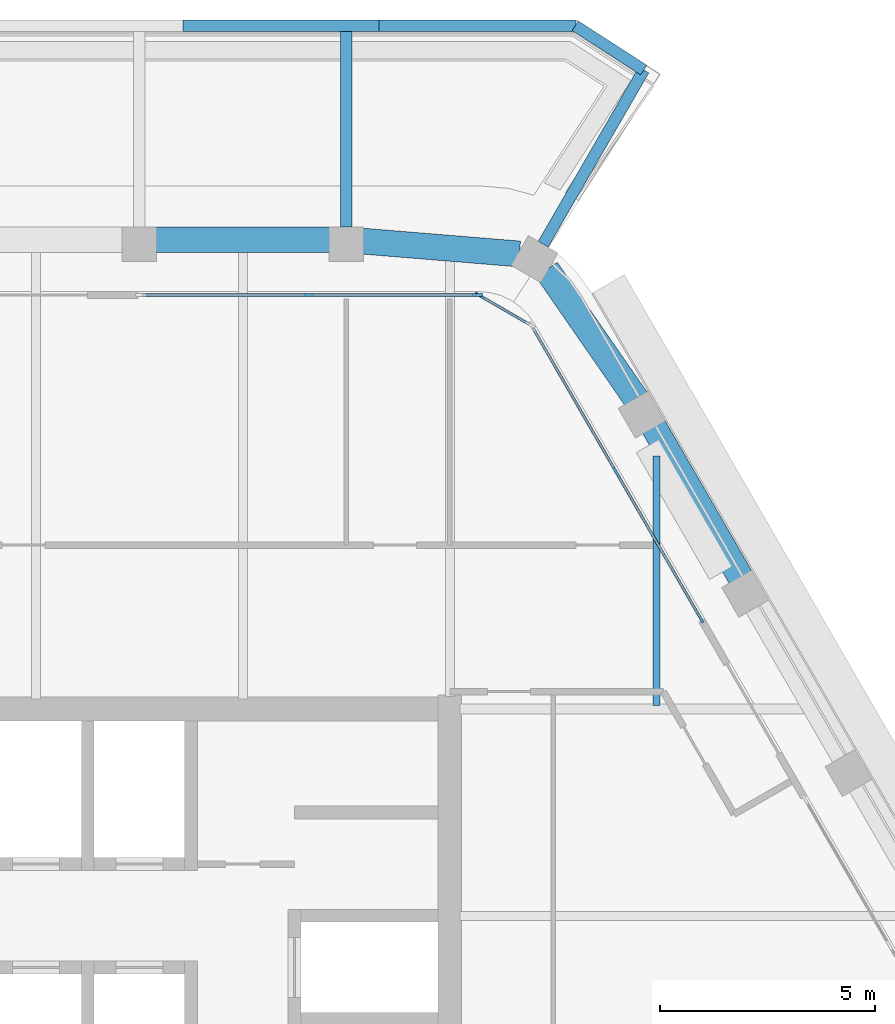
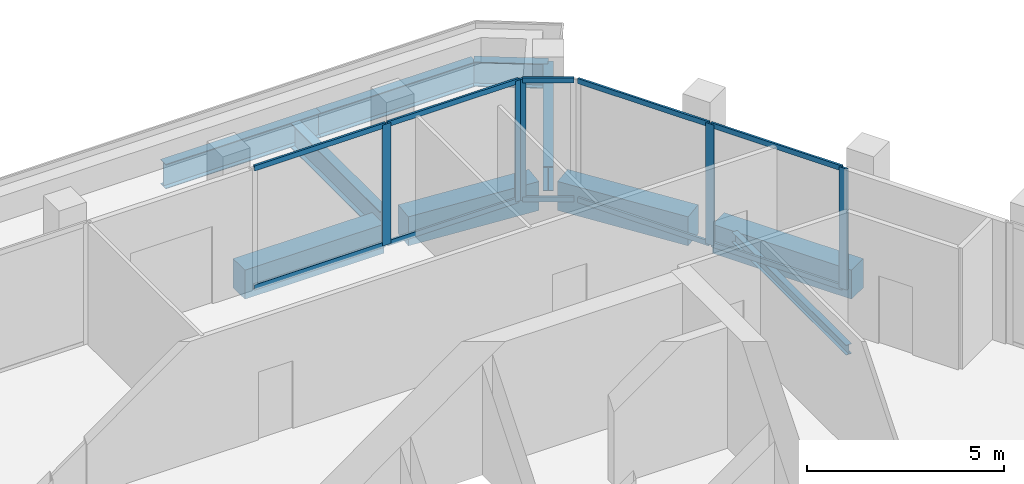
# One storey, part 6 of 16: 15 members, 10 beams, 3 elements without a shape of their own.
"""IFC4 building model written with IfcOpenShell, lengths in metres."""

import ifcopenshell
import ifcopenshell.guid

model = None  # the IFC model being written
_history = None  # IfcOwnerHistory: only IFC2X3 demands one
_inside = {}  # id of a spatial element -> (the spatial element, [elements in it])
_under = {}  # id of a project, library or spatial element -> (it, [spatial elements below it])
_declared = {}  # id of a project -> (the project, [libraries it declares])
_typed = {}  # id of a type object -> (the type object, [elements of that type])
_made_of = {}  # id of a material, layer set ... -> (it, [elements and type objects made of it])


def new_model(schema):
    """Start an empty IFC model of exactly this schema.

    Asked for "IFC4X3", IfcOpenShell would pick the latest addendum, in which some entities
    have other attributes; the version numbers below select the first issue.
    IFC2X3 requires an IfcOwnerHistory on every rooted entity: one is made here for all.
    """
    global model, _history
    if schema == "IFC4X3":
        model = ifcopenshell.file(schema_version=(4, 3, 0, 0))
    else:
        model = ifcopenshell.file(schema=schema)
    _inside.clear()
    _under.clear()
    _declared.clear()
    _typed.clear()
    _made_of.clear()
    _history = None
    if model.schema == "IFC2X3":
        org = make("IfcOrganization", Name="unknown")
        user = make(
            "IfcPersonAndOrganization",
            ThePerson=make("IfcPerson", FamilyName="unknown"),
            TheOrganization=org,
        )
        app = make(
            "IfcApplication",
            ApplicationDeveloper=org,
            Version="unknown",
            ApplicationFullName="unknown",
            ApplicationIdentifier="unknown",
        )
        _history = make(
            "IfcOwnerHistory",
            OwningUser=user,
            OwningApplication=app,
            ChangeAction="ADDED",
            CreationDate=0,
        )
    return model


def make(cls, **values):
    """One entity of the class cls with the attributes given. An attribute that is None is left unset."""
    return model.create_entity(
        cls, **{name: value for name, value in values.items() if value is not None}
    )


def rooted(cls, **values):
    """An entity with a GlobalId (a new one), such as an element, a storey or a relation."""
    return make(cls, GlobalId=ifcopenshell.guid.new(), OwnerHistory=_history, **values)


def si_unit(unit_type, name, prefix=None):
    """IfcSIUnit, for example si_unit("LENGTHUNIT", "METRE", prefix="MILLI")."""
    return make("IfcSIUnit", UnitType=unit_type, Prefix=prefix, Name=name)


def assignment(units):
    """IfcUnitAssignment: the units of a project."""
    return None if units is None else make("IfcUnitAssignment", Units=units)


def point(xyz):
    """IfcCartesianPoint."""
    return None if xyz is None else make("IfcCartesianPoint", Coordinates=xyz)


def direction(xyz):
    """IfcDirection."""
    return None if xyz is None else make("IfcDirection", DirectionRatios=xyz)


def frame(location, z_axis=None, x_axis=None):
    """IfcAxis2Placement3D, a coordinate frame: its origin and axes. An axis left out is left unset."""
    return make(
        "IfcAxis2Placement3D",
        Location=point(location),
        Axis=direction(z_axis),
        RefDirection=direction(x_axis),
    )


def frame_2d(location, x_axis=None):
    """IfcAxis2Placement2D, a coordinate frame in the plane: its origin and x axis."""
    return make(
        "IfcAxis2Placement2D", Location=point(location), RefDirection=direction(x_axis)
    )


def origin():
    """The frame at (0, 0, 0) with its axes left unset."""
    return frame((0.0, 0.0, 0.0))


def origin_2d():
    """The frame at (0, 0) in the plane with its x axis left unset."""
    return frame_2d((0.0, 0.0))


def place(relative_to, where):
    """IfcLocalPlacement: puts the frame where relative to a parent placement (None: the world)."""
    return make(
        "IfcLocalPlacement", PlacementRelTo=relative_to, RelativePlacement=where
    )


def context(
    kind, dimensions, precision=None, world=None, true_north=None, identifier=None
):
    """IfcGeometricRepresentationContext, for example the 3D "Model" context."""
    return make(
        "IfcGeometricRepresentationContext",
        ContextIdentifier=identifier,
        ContextType=kind,
        CoordinateSpaceDimension=dimensions,
        Precision=precision,
        WorldCoordinateSystem=world,
        TrueNorth=true_north,
    )


def subcontext(parent, identifier, kind, view, scale=None):
    """IfcGeometricRepresentationSubContext, for example "Body" below "Model"."""
    return make(
        "IfcGeometricRepresentationSubContext",
        ContextIdentifier=identifier,
        ContextType=kind,
        ParentContext=parent,
        TargetScale=scale,
        TargetView=view,
    )


def project(units=None, contexts=None):
    """IfcProject with its units and contexts."""
    return rooted(
        "IfcProject",
        Name="project",
        RepresentationContexts=contexts,
        UnitsInContext=assignment(units),
    )


def spatial(cls, under=None, at=None, **own):
    """A site, building, storey or space (cls), placed at a placement, below another one or the project."""
    s = rooted(cls, ObjectPlacement=at, **own)
    if under is not None:
        _under.setdefault(under.id(), (under, []))[1].append(s)
    return s


def profile(cls, at=None, kind="AREA", **sizes):
    """A parametric profile (cls). Its sizes go by their IFC names, for example OverallWidth=200.0."""
    return make(cls, ProfileType=kind, Position=at, **sizes)


def rectangle(**sizes):
    """IfcRectangleProfileDef."""
    return profile("IfcRectangleProfileDef", **sizes)


def i_section(**sizes):
    """IfcIShapeProfileDef."""
    return profile("IfcIShapeProfileDef", **sizes)


def extrude(swept, where, along, depth):
    """IfcExtrudedAreaSolid: the profile swept, set in the frame where, extruded along a direction by depth."""
    return make(
        "IfcExtrudedAreaSolid",
        SweptArea=swept,
        Position=where,
        ExtrudedDirection=direction(along),
        Depth=depth,
    )


def shape(context_of_items, identifier, shape_type, items):
    """IfcShapeRepresentation: the items that make up one representation, for example the "Body"."""
    return make(
        "IfcShapeRepresentation",
        ContextOfItems=context_of_items,
        RepresentationIdentifier=identifier,
        RepresentationType=shape_type,
        Items=items,
    )


def material(Name=None, Category=None):
    """IfcMaterial."""
    return make("IfcMaterial", Name=Name, Category=Category)


def material_profile(
    of_material, cross_section, Name=None, Category=None, Priority=None
):
    """IfcMaterialProfile: a cross section and its material."""
    return make(
        "IfcMaterialProfile",
        Name=Name,
        Material=of_material,
        Profile=cross_section,
        Priority=Priority,
        Category=Category,
    )


def profile_set(profiles, Name=None, composite=None):
    """IfcMaterialProfileSet."""
    return make(
        "IfcMaterialProfileSet",
        Name=Name,
        MaterialProfiles=profiles,
        CompositeProfile=composite,
    )


def made_of(thing, what):
    """Note that an element or type object is made of a material, layer set ...; save() writes the relation."""
    if what is not None:
        _made_of.setdefault(what.id(), (what, []))[1].append(thing)
    return thing


def type_object(cls, material=None, **own):
    """A type object (cls), such as IfcWallType, which elements share."""
    return made_of(rooted(cls, **own), material)


def element(
    cls,
    number,
    at=None,
    inside=None,
    cuts=None,
    type_object=None,
    material=None,
    context=None,
    identifier="Body",
    shape_type=None,
    held_by="IfcProductDefinitionShape",
    body=None,
    shapes=None,
    **own,
):
    """One element of the class cls, such as IfcWall. Its Tag is "e" and its number.

    at: its placement. inside: the storey or other place that contains it. cuts: it is an
    opening in that element (IfcRelVoidsElement). A single representation is given by context,
    identifier, shape_type and body (its items); several are given by shapes. held_by: the class
    of the entity that holds the representations. save() writes the other relations.
    """
    e = rooted(cls, Tag="e%d" % number, ObjectPlacement=at, **own)
    if body is not None:
        shapes = [shape(context, identifier, shape_type, body)]
    if shapes is not None:
        e.Representation = make(held_by, Representations=shapes)
    if inside is not None:
        _inside.setdefault(inside.id(), (inside, []))[1].append(e)
    if cuts is not None:
        rooted(
            "IfcRelVoidsElement", RelatingBuildingElement=cuts, RelatedOpeningElement=e
        )
    if type_object is not None:
        _typed.setdefault(type_object.id(), (type_object, []))[1].append(e)
    return made_of(e, material)


def aggregate(whole, parts):
    """IfcRelAggregates: a whole, such as a stair, and the parts it consists of."""
    return rooted("IfcRelAggregates", RelatingObject=whole, RelatedObjects=parts)


def save(model, path):
    """Write the relations noted so far, then the file.

    IfcRelAggregates (storeys below a building ...), IfcRelContainedInSpatialStructure (elements
    in a storey), IfcRelDefinesByType, IfcRelAssociatesMaterial and IfcRelDeclares: one each for
    every whole, place, type object, material and project.
    """
    for whole, parts in _under.values():
        aggregate(whole, parts)
    for where, things in _inside.values():
        rooted(
            "IfcRelContainedInSpatialStructure",
            RelatedElements=things,
            RelatingStructure=where,
        )
    for kind, things in _typed.values():
        rooted("IfcRelDefinesByType", RelatedObjects=things, RelatingType=kind)
    for what, things in _made_of.values():
        rooted("IfcRelAssociatesMaterial", RelatedObjects=things, RelatingMaterial=what)
    for by, libraries in _declared.values():
        rooted("IfcRelDeclares", RelatingContext=by, RelatedDefinitions=libraries)
    model.write(path)


model = new_model("IFC4")

# Units and contexts
model_context = context("Model", 3, precision=1e-05, world=origin(), true_north=direction((0.0, 1.0)))
body_context = subcontext(model_context, "Body", "Model", "MODEL_VIEW")
ifc_project = project(units=[si_unit("LENGTHUNIT", "METRE"), si_unit("AREAUNIT", "SQUARE_METRE"), si_unit("VOLUMEUNIT", "CUBIC_METRE"), si_unit("PLANEANGLEUNIT", "RADIAN"), si_unit("MASSUNIT", "GRAM", prefix="KILO")], contexts=[model_context])

# Site, building, storey
site_placement = place(None, origin())
site = spatial("IfcSite", under=ifc_project, at=site_placement, CompositionType="ELEMENT")
building_placement = place(site_placement, origin())
building = spatial("IfcBuilding", under=site, at=building_placement, Name="Kolab Exchange Tower", CompositionType="ELEMENT")
storey_placement = place(building_placement, frame((0.0, 0.0, 254.0)))
storey = spatial("IfcBuildingStorey", under=building, at=storey_placement, Name="L56", CompositionType="ELEMENT", Elevation=254.0)

# Beams
ifc_material_1 = material(Name="Steel S355", Category="steel")
ifc_material_profile_1 = material_profile(ifc_material_1, i_section(OverallWidth=0.1650390625, OverallDepth=0.31005859375, WebThickness=0.005859375, FlangeThickness=0.009765625, at=origin_2d()), Name="W310X39")
ifc_profile_set_1 = profile_set([ifc_material_profile_1], Name="Steel S355")
beam_type_1 = type_object("IfcBeamType", Name="FLOOR BEAM W310X39", PredefinedType="BEAM", material=ifc_profile_set_1)
beam_1_placement = place(storey_placement, frame((14.39990234375, 9.674072265625, -0.304931640625), z_axis=(0.0, 1.0, 0.0), x_axis=(-1.0, 0.0, 0.0)))
element("IfcBeam", 1, at=beam_1_placement, inside=storey, type_object=beam_type_1, Name="beam/L56/fr/024", PredefinedType="BEAM", context=body_context, shape_type="SweptSolid", body=[
    extrude(i_section(OverallWidth=0.1650390625, OverallDepth=0.31005859375, WebThickness=0.005859375, FlangeThickness=0.009765625, at=origin_2d()), origin(), (0.0, 0.0, 1.0), 5.793701171875),
])
ifc_material_profile_2 = material_profile(ifc_material_1, i_section(OverallWidth=0.26708984375, OverallDepth=0.761962890625, WebThickness=0.014404296875, FlangeThickness=0.021484375, at=origin_2d()), Name="W760X173")
ifc_profile_set_2 = profile_set([ifc_material_profile_2], Name="Steel S355")
beam_type_2 = type_object("IfcBeamType", Name="FLOOR GIRDER W760X173", PredefinedType="BEAM", material=ifc_profile_set_2)
beam_2_placement = place(storey_placement, frame((7.199951171875, 20.78466796875, -0.591064453125), z_axis=(0.0, 1.0, 0.0), x_axis=(-1.0, 0.0, 0.0)))
element("IfcBeam", 2, at=beam_2_placement, inside=storey, type_object=beam_type_2, Name="beam/L56/ledge/rib-09", PredefinedType="BEAM", context=body_context, shape_type="SweptSolid", body=[
    extrude(i_section(OverallWidth=0.26708984375, OverallDepth=0.761962890625, WebThickness=0.014404296875, FlangeThickness=0.021484375, at=origin_2d()), origin(), (0.0, 0.0, 1.0), 4.532958984375),
])
beam_3_placement = place(storey_placement, frame((11.767822265625, 20.3828125, -0.591064453125), z_axis=(0.500043984474, 0.866000007847, 0.0), x_axis=(-0.866000007847, 0.500043984474, 0.0)))
element("IfcBeam", 3, at=beam_3_placement, inside=storey, type_object=beam_type_2, Name="beam/L56/ledge/rib-10", PredefinedType="BEAM", context=body_context, shape_type="SweptSolid", body=[
    extrude(i_section(OverallWidth=0.26708984375, OverallDepth=0.761962890625, WebThickness=0.014404296875, FlangeThickness=0.021484375, at=origin_2d()), origin(), (0.0, 0.0, 1.0), 4.66650390625),
])
beam_4_placement = place(storey_placement, frame((3.406982421875, 25.451171875, -0.591064453125), z_axis=(1.0, 0.0, 0.0), x_axis=(0.0, 1.0, 0.0)))
element("IfcBeam", 4, at=beam_4_placement, inside=storey, type_object=beam_type_2, Name="beam/L56/ledge/edge-11", PredefinedType="BEAM", context=body_context, shape_type="SweptSolid", body=[
    extrude(i_section(OverallWidth=0.26708984375, OverallDepth=0.761962890625, WebThickness=0.014404296875, FlangeThickness=0.021484375, at=origin_2d()), origin(), (0.0, 0.0, 1.0), 4.552490234375),
])
beam_5_placement = place(storey_placement, frame((7.95947265625, 25.451171875, -0.591064453125), z_axis=(1.0, 0.0, 0.0), x_axis=(0.0, 1.0, 0.0)))
element("IfcBeam", 5, at=beam_5_placement, inside=storey, type_object=beam_type_2, Name="beam/L56/ledge/edge-12", PredefinedType="BEAM", context=body_context, shape_type="SweptSolid", body=[
    extrude(i_section(OverallWidth=0.26708984375, OverallDepth=0.761962890625, WebThickness=0.014404296875, FlangeThickness=0.021484375, at=origin_2d()), origin(), (0.0, 0.0, 1.0), 4.55224609375),
])
beam_6_placement = place(storey_placement, frame((12.51171875, 25.451171875, -0.591064453125), z_axis=(0.839981802732, -0.542614569542, 0.0), x_axis=(0.542614569542, 0.839981802732, 0.0)))
element("IfcBeam", 6, at=beam_6_placement, inside=storey, type_object=beam_type_2, Name="beam/L56/ledge/edge-13", PredefinedType="BEAM", context=body_context, shape_type="SweptSolid", body=[
    extrude(i_section(OverallWidth=0.26708984375, OverallDepth=0.761962890625, WebThickness=0.014404296875, FlangeThickness=0.021484375, at=origin_2d()), origin(), (0.0, 0.0, 1.0), 1.892333984375),
])
ifc_material_2 = material(Name="Concrete C50/60", Category="concrete")
ifc_material_profile_3 = material_profile(ifc_material_2, rectangle(XDim=0.60009765625, YDim=0.89990234375, at=origin_2d()), Name="RC600X900")
ifc_profile_set_3 = profile_set([ifc_material_profile_3], Name="Concrete C50/60")
beam_type_3 = type_object("IfcBeamType", Name="SPANDREL BEAM 600X900 C50/60", PredefinedType="BEAM", material=ifc_profile_set_3)
beam_7_placement = place(storey_placement, frame((2.760009765625, 20.484619140625, -0.60009765625), z_axis=(1.0, 0.0, 0.0), x_axis=(0.0, 1.0, 0.0)))
element("IfcBeam", 7, at=beam_7_placement, inside=storey, type_object=beam_type_3, Name="beam/L56/sp/F1-04", PredefinedType="BEAM", context=body_context, shape_type="SweptSolid", body=[
    extrude(rectangle(XDim=0.60009765625, YDim=0.89990234375, at=origin_2d()), origin(), (0.0, 0.0, 1.0), 4.080078125),
])
for number, where, z_axis, x_axis, name in (
    (8, (7.56005859375, 20.455078125, -0.60009765625), (0.996666751878, -0.081580547323, 0.0), (0.081580547323, 0.996666751878, 0.0), "beam/L56/sp/F1-05"),
    (9, (11.846923828125, 19.7919921875, -0.60009765625), (0.569005808573, -0.822333502789, 0.0), (0.822333502789, 0.569005808573, 0.0), "beam/L56/sp/F2-01"),
):
    element("IfcBeam", number, at=place(storey_placement, frame(where, z_axis=z_axis, x_axis=x_axis)), inside=storey, type_object=beam_type_3, Name=name, PredefinedType="BEAM", context=body_context, shape_type="SweptSolid", body=[
        extrude(rectangle(XDim=0.60009765625, YDim=0.89990234375, at=origin_2d()), origin(), (0.0, 0.0, 1.0), 3.6689453125),
    ])
beam_8_placement = place(storey_placement, frame((14.3203125, 16.166015625, -0.60009765625), z_axis=(0.499955548806, -0.866051066172, 0.0), x_axis=(0.866051066172, 0.499955548806, 0.0)))
element("IfcBeam", 10, at=beam_8_placement, inside=storey, type_object=beam_type_3, Name="beam/L56/sp/F2-02", PredefinedType="BEAM", context=body_context, shape_type="SweptSolid", body=[
    extrude(rectangle(XDim=0.60009765625, YDim=0.89990234375, at=origin_2d()), origin(), (0.0, 0.0, 1.0), 4.079833984375),
])

# Curtain wall, members
ifc_material_3 = material(Name="Aluminium EN AW-6063 T6", Category="aluminium")
curtain_wall_type = type_object("IfcCurtainWallType", Name="UNITISED HIGH ZONE CURTAIN WALL", PredefinedType="NOTDEFINED", material=ifc_material_3)
curtain_wall_1_placement = place(storey_placement, origin())
curtain_wall_1 = element("IfcCurtainWall", 11, at=curtain_wall_1_placement, inside=storey, type_object=curtain_wall_type, Name="cw/L56/F1-2", PredefinedType="NOTDEFINED")
ifc_material_profile_4 = material_profile(ifc_material_3, rectangle(XDim=0.06005859375, YDim=0.239990234375, at=origin_2d()), Name="RECT 60X240")
ifc_profile_set_4 = profile_set([ifc_material_profile_4], Name="Aluminium EN AW-6063 T6")
member_type_1 = type_object("IfcMemberType", Name="UNITISED HIGH ZONE MULLION 60 X 240", PredefinedType="MULLION", material=ifc_profile_set_4)
member_1_placement = place(storey_placement, frame((6.333984375, 19.20458984375, 0.0), z_axis=(0.0, 0.0, 1.0), x_axis=(0.0, 1.0, 0.0)))
member_1 = element("IfcMember", 12, at=member_1_placement, type_object=member_type_1, Name="CW4 mullion 2", PredefinedType="MULLION", context=body_context, shape_type="SweptSolid", body=[
    extrude(rectangle(XDim=0.06005859375, YDim=0.239990234375, at=origin_2d()), origin(), (0.0, 0.0, 1.0), 3.75),
])
member_2_placement = place(storey_placement, frame((10.238037109375, 19.20458984375, 0.0), z_axis=(0.0, 0.0, 1.0), x_axis=(0.0, 1.0, 0.0)))
member_2 = element("IfcMember", 13, at=member_2_placement, type_object=member_type_1, Name="CW4 mullion 3", PredefinedType="MULLION", context=body_context, shape_type="SweptSolid", body=[
    extrude(rectangle(XDim=0.06005859375, YDim=0.239990234375, at=origin_2d()), origin(), (0.0, 0.0, 1.0), 3.75),
])

curtain_wall_2_placement = place(storey_placement, origin())
curtain_wall_2 = element("IfcCurtainWall", 14, at=curtain_wall_2_placement, inside=storey, type_object=curtain_wall_type, Name="cw/L56/F2-1", PredefinedType="NOTDEFINED")
member_3_placement = place(storey_placement, frame((13.464599609375, 15.087646484375, 0.0), z_axis=(0.0, 0.0, 1.0), x_axis=(0.866025385493, 0.500000031681, 0.0)))
member_3 = element("IfcMember", 15, at=member_3_placement, type_object=member_type_1, Name="CW4 mullion 2", PredefinedType="MULLION", context=body_context, shape_type="SweptSolid", body=[
    extrude(rectangle(XDim=0.06005859375, YDim=0.239990234375, at=origin_2d()), origin(), (0.0, 0.0, 1.0), 3.75),
])
member_4_placement = place(storey_placement, frame((15.416748046875, 11.706787109375, 0.0), z_axis=(0.0, 0.0, 1.0), x_axis=(0.866025385493, 0.500000031681, 0.0)))
member_4 = element("IfcMember", 16, at=member_4_placement, type_object=member_type_1, Name="CW4 mullion 3", PredefinedType="MULLION", context=body_context, shape_type="SweptSolid", body=[
    extrude(rectangle(XDim=0.06005859375, YDim=0.239990234375, at=origin_2d()), origin(), (0.0, 0.0, 1.0), 3.75),
])

# Curtain wall, member
curtain_wall_3_placement = place(storey_placement, origin())
curtain_wall_3 = element("IfcCurtainWall", 17, at=curtain_wall_3_placement, inside=storey, type_object=curtain_wall_type, Name="cw/L56/F1F2-corner", PredefinedType="NOTDEFINED")
member_5_placement = place(storey_placement, frame((10.2939453125, 19.189697265625, 0.0), z_axis=(0.0, 0.0, 1.0), x_axis=(0.50000002237, 0.866025390869, 0.0)))
member_5 = element("IfcMember", 18, at=member_5_placement, type_object=member_type_1, Name="CW4 mullion 1", PredefinedType="MULLION", context=body_context, shape_type="SweptSolid", body=[
    extrude(rectangle(XDim=0.06005859375, YDim=0.239990234375, at=origin_2d()), origin(), (0.0, 0.0, 1.0), 3.75),
])

# Member
ifc_material_profile_5 = material_profile(ifc_material_3, rectangle(XDim=0.06005859375, YDim=0.159912109375, at=origin_2d()), Name="RECT 60X160")
ifc_profile_set_5 = profile_set([ifc_material_profile_5], Name="Aluminium EN AW-6063 T6")
member_type_2 = type_object("IfcMemberType", Name="UNITISED HIGH ZONE TRANSOM 60 X 160", PredefinedType="USERDEFINED", material=ifc_profile_set_5)
member_6_placement = place(storey_placement, frame((2.4599609375, 19.20458984375, 0.030029296875), z_axis=(1.0, 0.0, 0.0), x_axis=(0.0, 1.0, 0.0)))
member_6 = element("IfcMember", 19, at=member_6_placement, type_object=member_type_2, Name="CW4 transom 1.1", ObjectType="TRANSOM", PredefinedType="USERDEFINED", context=body_context, shape_type="SweptSolid", body=[
    extrude(rectangle(XDim=0.06005859375, YDim=0.159912109375, at=origin_2d()), origin(), (0.0, 0.0, 1.0), 3.843994140625),
])

member_7_placement = place(storey_placement, frame((2.4599609375, 19.20458984375, 3.719970703125), z_axis=(1.0, 0.0, 0.0), x_axis=(0.0, 1.0, 0.0)))
member_7 = element("IfcMember", 20, at=member_7_placement, type_object=member_type_2, Name="CW4 transom 1.2", ObjectType="TRANSOM", PredefinedType="USERDEFINED", context=body_context, shape_type="SweptSolid", body=[
    extrude(rectangle(XDim=0.06005859375, YDim=0.159912109375, at=origin_2d()), origin(), (0.0, 0.0, 1.0), 3.843994140625),
])

member_8_placement = place(storey_placement, frame((6.364013671875, 19.20458984375, 0.030029296875), z_axis=(1.0, 0.0, 0.0), x_axis=(0.0, 1.0, 0.0)))
member_8 = element("IfcMember", 21, at=member_8_placement, type_object=member_type_2, Name="CW4 transom 2.1", ObjectType="TRANSOM", PredefinedType="USERDEFINED", context=body_context, shape_type="SweptSolid", body=[
    extrude(rectangle(XDim=0.06005859375, YDim=0.159912109375, at=origin_2d()), origin(), (0.0, 0.0, 1.0), 3.843994140625),
])

member_9_placement = place(storey_placement, frame((6.364013671875, 19.20458984375, 3.719970703125), z_axis=(1.0, 0.0, 0.0), x_axis=(0.0, 1.0, 0.0)))
member_9 = element("IfcMember", 22, at=member_9_placement, type_object=member_type_2, Name="CW4 transom 2.2", ObjectType="TRANSOM", PredefinedType="USERDEFINED", context=body_context, shape_type="SweptSolid", body=[
    extrude(rectangle(XDim=0.06005859375, YDim=0.159912109375, at=origin_2d()), origin(), (0.0, 0.0, 1.0), 3.843994140625),
])

aggregate(curtain_wall_1, [member_1, member_2, member_6, member_7, member_8, member_9])

member_10_placement = place(storey_placement, frame((11.527587890625, 18.442626953125, 0.030029296875), z_axis=(0.500039492609, -0.866002601515, 0.0), x_axis=(0.866002601515, 0.500039492609, 0.0)))
member_10 = element("IfcMember", 23, at=member_10_placement, type_object=member_type_2, Name="CW4 transom 1.1", ObjectType="TRANSOM", PredefinedType="USERDEFINED", context=body_context, shape_type="SweptSolid", body=[
    extrude(rectangle(XDim=0.06005859375, YDim=0.159912109375, at=origin_2d()), origin(), (0.0, 0.0, 1.0), 3.843994140625),
])

member_11_placement = place(storey_placement, frame((11.527587890625, 18.442626953125, 3.719970703125), z_axis=(0.500039492609, -0.866002601515, 0.0), x_axis=(0.866002601515, 0.500039492609, 0.0)))
member_11 = element("IfcMember", 24, at=member_11_placement, type_object=member_type_2, Name="CW4 transom 1.2", ObjectType="TRANSOM", PredefinedType="USERDEFINED", context=body_context, shape_type="SweptSolid", body=[
    extrude(rectangle(XDim=0.06005859375, YDim=0.159912109375, at=origin_2d()), origin(), (0.0, 0.0, 1.0), 3.843994140625),
])

member_12_placement = place(storey_placement, frame((13.479736328125, 15.061767578125, 0.030029296875), z_axis=(0.499964356602, -0.866045981532, 0.0), x_axis=(0.866045981532, 0.499964356602, 0.0)))
member_12 = element("IfcMember", 25, at=member_12_placement, type_object=member_type_2, Name="CW4 transom 2.1", ObjectType="TRANSOM", PredefinedType="USERDEFINED", context=body_context, shape_type="SweptSolid", body=[
    extrude(rectangle(XDim=0.06005859375, YDim=0.159912109375, at=origin_2d()), origin(), (0.0, 0.0, 1.0), 3.843994140625),
])

member_13_placement = place(storey_placement, frame((13.479736328125, 15.061767578125, 3.719970703125), z_axis=(0.499964356602, -0.866045981532, 0.0), x_axis=(0.866045981532, 0.499964356602, 0.0)))
member_13 = element("IfcMember", 26, at=member_13_placement, type_object=member_type_2, Name="CW4 transom 2.2", ObjectType="TRANSOM", PredefinedType="USERDEFINED", context=body_context, shape_type="SweptSolid", body=[
    extrude(rectangle(XDim=0.06005859375, YDim=0.159912109375, at=origin_2d()), origin(), (0.0, 0.0, 1.0), 3.843994140625),
])

aggregate(curtain_wall_2, [member_3, member_4, member_10, member_11, member_12, member_13])

member_14_placement = place(storey_placement, frame((10.31982421875, 19.174560546875, 0.030029296875), z_axis=(0.866085525409, -0.49989585183, 0.0), x_axis=(0.49989585183, 0.866085525409, 0.0)))
member_14 = element("IfcMember", 27, at=member_14_placement, type_object=member_type_2, Name="CW4 transom 1.1", ObjectType="TRANSOM", PredefinedType="USERDEFINED", context=body_context, shape_type="SweptSolid", body=[
    extrude(rectangle(XDim=0.06005859375, YDim=0.159912109375, at=origin_2d()), origin(), (0.0, 0.0, 1.0), 1.300048828125),
])

member_15_placement = place(storey_placement, frame((10.31982421875, 19.174560546875, 3.719970703125), z_axis=(0.866085525409, -0.49989585183, 0.0), x_axis=(0.49989585183, 0.866085525409, 0.0)))
member_15 = element("IfcMember", 28, at=member_15_placement, type_object=member_type_2, Name="CW4 transom 1.2", ObjectType="TRANSOM", PredefinedType="USERDEFINED", context=body_context, shape_type="SweptSolid", body=[
    extrude(rectangle(XDim=0.06005859375, YDim=0.159912109375, at=origin_2d()), origin(), (0.0, 0.0, 1.0), 1.300048828125),
])

aggregate(curtain_wall_3, [member_5, member_14, member_15])

save(model, "model.ifc")
